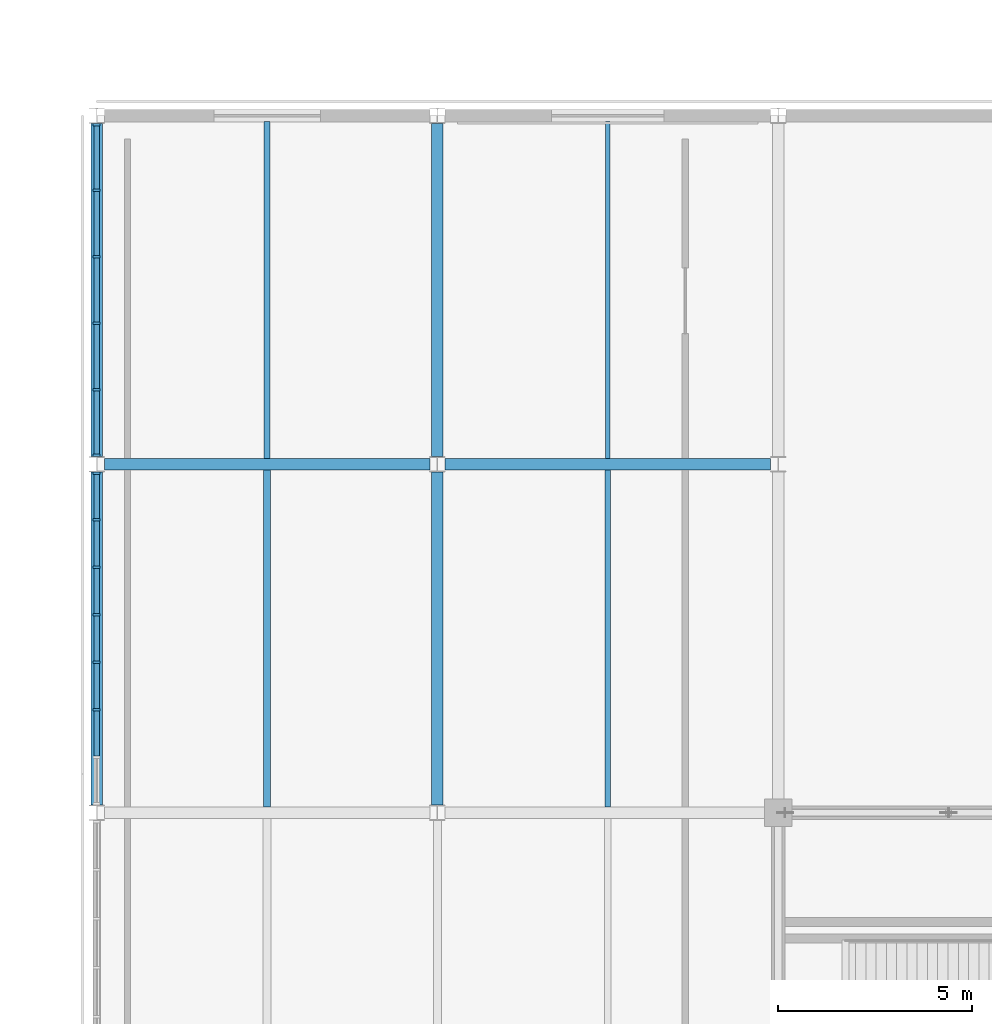
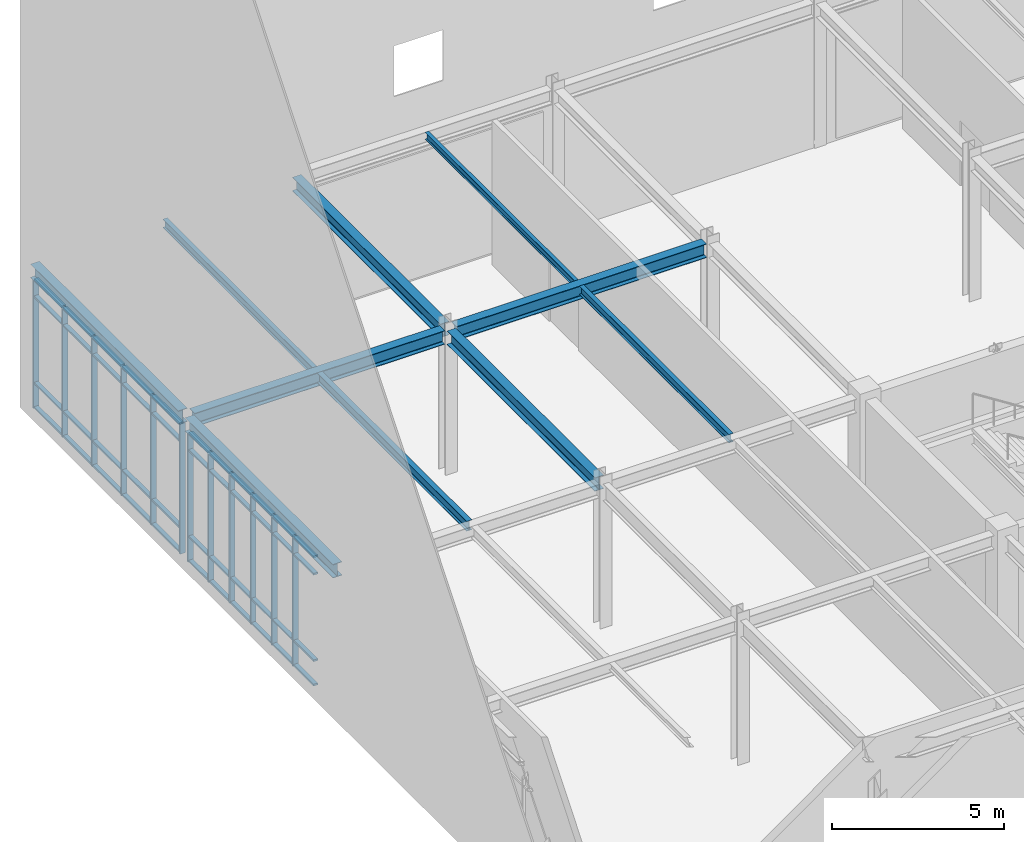
# One storey, part 44 of 119: 56 members, 10 beams, 2 elements without a shape of their own.
"""IFC4 building model written with IfcOpenShell, lengths in metres."""

from ifc_helpers import new_model, si_unit, direction, frame, origin, origin_2d, place, context, subcontext, project, spatial, rectangle, i_section, extrude, material, material_profile, profile_set, type_object, element, aggregate, save


model = new_model("IFC4")

# Units and contexts
model_context = context("Model", 3, precision=1e-05, world=origin(), true_north=direction((0.0, 1.0)))
body_context = subcontext(model_context, "Body", "Model", "MODEL_VIEW")
ifc_project = project(units=[si_unit("LENGTHUNIT", "METRE"), si_unit("AREAUNIT", "SQUARE_METRE"), si_unit("VOLUMEUNIT", "CUBIC_METRE"), si_unit("PLANEANGLEUNIT", "RADIAN"), si_unit("MASSUNIT", "GRAM", prefix="KILO")], contexts=[model_context])

# Site, building, storey
site_placement = place(None, origin())
site = spatial("IfcSite", under=ifc_project, at=site_placement, CompositionType="ELEMENT")
building_placement = place(site_placement, origin())
building = spatial("IfcBuilding", under=site, at=building_placement, Name="Zhaolan Boulevard Law Courts", CompositionType="ELEMENT")
storey_placement = place(building_placement, origin())
storey = spatial("IfcBuildingStorey", under=building, at=storey_placement, Name="L00", CompositionType="ELEMENT", Elevation=0.0)

# Curtain wall, members
ifc_material_1 = material(Name="Thermally broken aluminium and low-E glazing", Category="aluminium")
curtain_wall_type_1 = type_object("IfcCurtainWallType", Name="CURTAIN WALL M6", PredefinedType="USERDEFINED", material=ifc_material_1)
curtain_wall_1_placement = place(storey_placement, origin())
curtain_wall_1 = element("IfcCurtainWall", 1, at=curtain_wall_1_placement, inside=storey, type_object=curtain_wall_type_1, Name="Curtain Wall CW-L00-102", ObjectType="CURTAIN WALL", PredefinedType="USERDEFINED")
ifc_material_2 = material(Name="Fluorocarbon-coated aluminium 6063-T6", Category="aluminium")
ifc_material_profile_1 = material_profile(ifc_material_2, rectangle(XDim=0.179931640625, YDim=0.06494140625, at=origin_2d()), Name="AL65x180")
ifc_profile_set_1 = profile_set([ifc_material_profile_1], Name="Fluorocarbon-coated aluminium 6063-T6")
member_type_1 = type_object("IfcMemberType", Name="CWMULLION 65X180", PredefinedType="MULLION", material=ifc_profile_set_1)
member_1_placement = place(storey_placement, frame((0.0, 102.765380859375, 0.0), z_axis=(0.0, 0.0, 1.0), x_axis=(1.0, 0.0, 0.0)))
member_1 = element("IfcMember", 2, at=member_1_placement, type_object=member_type_1, Name="CW-L00-102 mullion 1", PredefinedType="MULLION", context=body_context, shape_type="SweptSolid", body=[
    extrude(rectangle(XDim=0.179931640625, YDim=0.06494140625, at=origin_2d()), origin(), (0.0, 0.0, 1.0), 4.62109375),
])
member_2_placement = place(storey_placement, frame((0.0, 101.570068359375, 0.0), z_axis=(0.0, 0.0, 1.0), x_axis=(1.0, 0.0, 0.0)))
member_2 = element("IfcMember", 3, at=member_2_placement, type_object=member_type_1, Name="CW-L00-102 mullion 2", PredefinedType="MULLION", context=body_context, shape_type="SweptSolid", body=[
    extrude(rectangle(XDim=0.179931640625, YDim=0.06494140625, at=origin_2d()), origin(), (0.0, 0.0, 1.0), 4.62109375),
])
member_3_placement = place(storey_placement, frame((0.0, 100.342041015625, 0.0), z_axis=(0.0, 0.0, 1.0), x_axis=(1.0, 0.0, 0.0)))
member_3 = element("IfcMember", 4, at=member_3_placement, type_object=member_type_1, Name="CW-L00-102 mullion 3", PredefinedType="MULLION", context=body_context, shape_type="SweptSolid", body=[
    extrude(rectangle(XDim=0.179931640625, YDim=0.06494140625, at=origin_2d()), origin(), (0.0, 0.0, 1.0), 4.62109375),
])
member_4_placement = place(storey_placement, frame((0.0, 99.114013671875, 0.0), z_axis=(0.0, 0.0, 1.0), x_axis=(1.0, 0.0, 0.0)))
member_4 = element("IfcMember", 5, at=member_4_placement, type_object=member_type_1, Name="CW-L00-102 mullion 4", PredefinedType="MULLION", context=body_context, shape_type="SweptSolid", body=[
    extrude(rectangle(XDim=0.179931640625, YDim=0.06494140625, at=origin_2d()), origin(), (0.0, 0.0, 1.0), 4.62109375),
])
member_5_placement = place(storey_placement, frame((0.0, 97.885986328125, 0.0), z_axis=(0.0, 0.0, 1.0), x_axis=(1.0, 0.0, 0.0)))
member_5 = element("IfcMember", 6, at=member_5_placement, type_object=member_type_1, Name="CW-L00-102 mullion 5", PredefinedType="MULLION", context=body_context, shape_type="SweptSolid", body=[
    extrude(rectangle(XDim=0.179931640625, YDim=0.06494140625, at=origin_2d()), origin(), (0.0, 0.0, 1.0), 4.62109375),
])
member_6_placement = place(storey_placement, frame((0.0, 96.657958984375, 0.0), z_axis=(0.0, 0.0, 1.0), x_axis=(1.0, 0.0, 0.0)))
member_6 = element("IfcMember", 7, at=member_6_placement, type_object=member_type_1, Name="CW-L00-102 mullion 6", PredefinedType="MULLION", context=body_context, shape_type="SweptSolid", body=[
    extrude(rectangle(XDim=0.179931640625, YDim=0.06494140625, at=origin_2d()), origin(), (0.0, 0.0, 1.0), 4.62109375),
])

ifc_material_3 = material(Name="Thermally broken aluminium and low-E glazing", Category="aluminium")
curtain_wall_type_2 = type_object("IfcCurtainWallType", Name="CURTAIN WALL M7", PredefinedType="USERDEFINED", material=ifc_material_3)
curtain_wall_2_placement = place(storey_placement, origin())
curtain_wall_2 = element("IfcCurtainWall", 8, at=curtain_wall_2_placement, inside=storey, type_object=curtain_wall_type_2, Name="Curtain Wall CW-L00-103", ObjectType="CURTAIN WALL", PredefinedType="USERDEFINED")
member_7_placement = place(storey_placement, frame((0.0, 111.765380859375, 0.0), z_axis=(0.0, 0.0, 1.0), x_axis=(1.0, 0.0, 0.0)))
member_7 = element("IfcMember", 9, at=member_7_placement, type_object=member_type_1, Name="CW-L00-103 mullion 1", PredefinedType="MULLION", context=body_context, shape_type="SweptSolid", body=[
    extrude(rectangle(XDim=0.179931640625, YDim=0.06494140625, at=origin_2d()), origin(), (0.0, 0.0, 1.0), 4.62109375),
])
member_8_placement = place(storey_placement, frame((0.0, 110.078857421875, 0.0), z_axis=(0.0, 0.0, 1.0), x_axis=(1.0, 0.0, 0.0)))
member_8 = element("IfcMember", 10, at=member_8_placement, type_object=member_type_1, Name="CW-L00-103 mullion 2", PredefinedType="MULLION", context=body_context, shape_type="SweptSolid", body=[
    extrude(rectangle(XDim=0.179931640625, YDim=0.06494140625, at=origin_2d()), origin(), (0.0, 0.0, 1.0), 4.62109375),
])
member_9_placement = place(storey_placement, frame((0.0, 108.359619140625, 0.0), z_axis=(0.0, 0.0, 1.0), x_axis=(1.0, 0.0, 0.0)))
member_9 = element("IfcMember", 11, at=member_9_placement, type_object=member_type_1, Name="CW-L00-103 mullion 3", PredefinedType="MULLION", context=body_context, shape_type="SweptSolid", body=[
    extrude(rectangle(XDim=0.179931640625, YDim=0.06494140625, at=origin_2d()), origin(), (0.0, 0.0, 1.0), 4.62109375),
])
member_10_placement = place(storey_placement, frame((0.0, 106.640380859375, 0.0), z_axis=(0.0, 0.0, 1.0), x_axis=(1.0, 0.0, 0.0)))
member_10 = element("IfcMember", 12, at=member_10_placement, type_object=member_type_1, Name="CW-L00-103 mullion 4", PredefinedType="MULLION", context=body_context, shape_type="SweptSolid", body=[
    extrude(rectangle(XDim=0.179931640625, YDim=0.06494140625, at=origin_2d()), origin(), (0.0, 0.0, 1.0), 4.62109375),
])
member_11_placement = place(storey_placement, frame((0.0, 104.921142578125, 0.0), z_axis=(0.0, 0.0, 1.0), x_axis=(1.0, 0.0, 0.0)))
member_11 = element("IfcMember", 13, at=member_11_placement, type_object=member_type_1, Name="CW-L00-103 mullion 5", PredefinedType="MULLION", context=body_context, shape_type="SweptSolid", body=[
    extrude(rectangle(XDim=0.179931640625, YDim=0.06494140625, at=origin_2d()), origin(), (0.0, 0.0, 1.0), 4.62109375),
])
member_12_placement = place(storey_placement, frame((0.0, 103.234619140625, 0.0), z_axis=(0.0, 0.0, 1.0), x_axis=(1.0, 0.0, 0.0)))
member_12 = element("IfcMember", 14, at=member_12_placement, type_object=member_type_1, Name="CW-L00-103 mullion 6", PredefinedType="MULLION", context=body_context, shape_type="SweptSolid", body=[
    extrude(rectangle(XDim=0.179931640625, YDim=0.06494140625, at=origin_2d()), origin(), (0.0, 0.0, 1.0), 4.62109375),
])

# Member
ifc_material_4 = material(Name="Fluorocarbon-coated aluminium 6063-T6", Category="aluminium")
ifc_material_profile_2 = material_profile(ifc_material_4, rectangle(XDim=0.139892578125, YDim=0.06494140625, at=origin_2d()), Name="AL65x140")
ifc_profile_set_2 = profile_set([ifc_material_profile_2], Name="Fluorocarbon-coated aluminium 6063-T6")
member_type_2 = type_object("IfcMemberType", Name="CWTRANSOM 65X140", PredefinedType="USERDEFINED", material=ifc_profile_set_2)
member_13_placement = place(storey_placement, frame((0.0, 102.73291015625, 0.032470703125), z_axis=(0.0, -1.0, 0.0), x_axis=(1.0, 0.0, 0.0)))
member_13 = element("IfcMember", 15, at=member_13_placement, type_object=member_type_2, Name="CW-L00-102 transom 1.1", ObjectType="TRANSOM", PredefinedType="USERDEFINED", context=body_context, shape_type="SweptSolid", body=[
    extrude(rectangle(XDim=0.139892578125, YDim=0.06494140625, at=origin_2d()), origin(), (0.0, 0.0, 1.0), 1.13037109375),
])

member_14_placement = place(storey_placement, frame((0.0, 102.73291015625, 0.89990234375), z_axis=(0.0, -1.0, 0.0), x_axis=(1.0, 0.0, 0.0)))
member_14 = element("IfcMember", 16, at=member_14_placement, type_object=member_type_2, Name="CW-L00-102 transom 1.2", ObjectType="TRANSOM", PredefinedType="USERDEFINED", context=body_context, shape_type="SweptSolid", body=[
    extrude(rectangle(XDim=0.139892578125, YDim=0.06494140625, at=origin_2d()), origin(), (0.0, 0.0, 1.0), 1.13037109375),
])

member_15_placement = place(storey_placement, frame((0.0, 102.73291015625, 3.970947265625), z_axis=(0.0, -1.0, 0.0), x_axis=(1.0, 0.0, 0.0)))
member_15 = element("IfcMember", 17, at=member_15_placement, type_object=member_type_2, Name="CW-L00-102 transom 1.3", ObjectType="TRANSOM", PredefinedType="USERDEFINED", context=body_context, shape_type="SweptSolid", body=[
    extrude(rectangle(XDim=0.139892578125, YDim=0.06494140625, at=origin_2d()), origin(), (0.0, 0.0, 1.0), 1.13037109375),
])

member_16_placement = place(storey_placement, frame((0.0, 102.73291015625, 4.58837890625), z_axis=(0.0, -1.0, 0.0), x_axis=(1.0, 0.0, 0.0)))
member_16 = element("IfcMember", 18, at=member_16_placement, type_object=member_type_2, Name="CW-L00-102 transom 1.4", ObjectType="TRANSOM", PredefinedType="USERDEFINED", context=body_context, shape_type="SweptSolid", body=[
    extrude(rectangle(XDim=0.139892578125, YDim=0.06494140625, at=origin_2d()), origin(), (0.0, 0.0, 1.0), 1.13037109375),
])

member_17_placement = place(storey_placement, frame((0.0, 101.53759765625, 0.032470703125), z_axis=(0.0, -1.0, 0.0), x_axis=(1.0, 0.0, 0.0)))
member_17 = element("IfcMember", 19, at=member_17_placement, type_object=member_type_2, Name="CW-L00-102 transom 2.1", ObjectType="TRANSOM", PredefinedType="USERDEFINED", context=body_context, shape_type="SweptSolid", body=[
    extrude(rectangle(XDim=0.139892578125, YDim=0.06494140625, at=origin_2d()), origin(), (0.0, 0.0, 1.0), 1.1630859375),
])

member_18_placement = place(storey_placement, frame((0.0, 101.53759765625, 0.89990234375), z_axis=(0.0, -1.0, 0.0), x_axis=(1.0, 0.0, 0.0)))
member_18 = element("IfcMember", 20, at=member_18_placement, type_object=member_type_2, Name="CW-L00-102 transom 2.2", ObjectType="TRANSOM", PredefinedType="USERDEFINED", context=body_context, shape_type="SweptSolid", body=[
    extrude(rectangle(XDim=0.139892578125, YDim=0.06494140625, at=origin_2d()), origin(), (0.0, 0.0, 1.0), 1.1630859375),
])

member_19_placement = place(storey_placement, frame((0.0, 101.53759765625, 3.970947265625), z_axis=(0.0, -1.0, 0.0), x_axis=(1.0, 0.0, 0.0)))
member_19 = element("IfcMember", 21, at=member_19_placement, type_object=member_type_2, Name="CW-L00-102 transom 2.3", ObjectType="TRANSOM", PredefinedType="USERDEFINED", context=body_context, shape_type="SweptSolid", body=[
    extrude(rectangle(XDim=0.139892578125, YDim=0.06494140625, at=origin_2d()), origin(), (0.0, 0.0, 1.0), 1.1630859375),
])

member_20_placement = place(storey_placement, frame((0.0, 101.53759765625, 4.58837890625), z_axis=(0.0, -1.0, 0.0), x_axis=(1.0, 0.0, 0.0)))
member_20 = element("IfcMember", 22, at=member_20_placement, type_object=member_type_2, Name="CW-L00-102 transom 2.4", ObjectType="TRANSOM", PredefinedType="USERDEFINED", context=body_context, shape_type="SweptSolid", body=[
    extrude(rectangle(XDim=0.139892578125, YDim=0.06494140625, at=origin_2d()), origin(), (0.0, 0.0, 1.0), 1.1630859375),
])

member_21_placement = place(storey_placement, frame((0.0, 100.3095703125, 0.032470703125), z_axis=(0.0, -1.0, 0.0), x_axis=(1.0, 0.0, 0.0)))
member_21 = element("IfcMember", 23, at=member_21_placement, type_object=member_type_2, Name="CW-L00-102 transom 3.1", ObjectType="TRANSOM", PredefinedType="USERDEFINED", context=body_context, shape_type="SweptSolid", body=[
    extrude(rectangle(XDim=0.139892578125, YDim=0.06494140625, at=origin_2d()), origin(), (0.0, 0.0, 1.0), 1.1630859375),
])

member_22_placement = place(storey_placement, frame((0.0, 100.3095703125, 0.89990234375), z_axis=(0.0, -1.0, 0.0), x_axis=(1.0, 0.0, 0.0)))
member_22 = element("IfcMember", 24, at=member_22_placement, type_object=member_type_2, Name="CW-L00-102 transom 3.2", ObjectType="TRANSOM", PredefinedType="USERDEFINED", context=body_context, shape_type="SweptSolid", body=[
    extrude(rectangle(XDim=0.139892578125, YDim=0.06494140625, at=origin_2d()), origin(), (0.0, 0.0, 1.0), 1.1630859375),
])

member_23_placement = place(storey_placement, frame((0.0, 100.3095703125, 3.970947265625), z_axis=(0.0, -1.0, 0.0), x_axis=(1.0, 0.0, 0.0)))
member_23 = element("IfcMember", 25, at=member_23_placement, type_object=member_type_2, Name="CW-L00-102 transom 3.3", ObjectType="TRANSOM", PredefinedType="USERDEFINED", context=body_context, shape_type="SweptSolid", body=[
    extrude(rectangle(XDim=0.139892578125, YDim=0.06494140625, at=origin_2d()), origin(), (0.0, 0.0, 1.0), 1.1630859375),
])

member_24_placement = place(storey_placement, frame((0.0, 100.3095703125, 4.58837890625), z_axis=(0.0, -1.0, 0.0), x_axis=(1.0, 0.0, 0.0)))
member_24 = element("IfcMember", 26, at=member_24_placement, type_object=member_type_2, Name="CW-L00-102 transom 3.4", ObjectType="TRANSOM", PredefinedType="USERDEFINED", context=body_context, shape_type="SweptSolid", body=[
    extrude(rectangle(XDim=0.139892578125, YDim=0.06494140625, at=origin_2d()), origin(), (0.0, 0.0, 1.0), 1.1630859375),
])

member_25_placement = place(storey_placement, frame((0.0, 99.08154296875, 0.032470703125), z_axis=(0.0, -1.0, 0.0), x_axis=(1.0, 0.0, 0.0)))
member_25 = element("IfcMember", 27, at=member_25_placement, type_object=member_type_2, Name="CW-L00-102 transom 4.1", ObjectType="TRANSOM", PredefinedType="USERDEFINED", context=body_context, shape_type="SweptSolid", body=[
    extrude(rectangle(XDim=0.139892578125, YDim=0.06494140625, at=origin_2d()), origin(), (0.0, 0.0, 1.0), 1.1630859375),
])

member_26_placement = place(storey_placement, frame((0.0, 99.08154296875, 0.89990234375), z_axis=(0.0, -1.0, 0.0), x_axis=(1.0, 0.0, 0.0)))
member_26 = element("IfcMember", 28, at=member_26_placement, type_object=member_type_2, Name="CW-L00-102 transom 4.2", ObjectType="TRANSOM", PredefinedType="USERDEFINED", context=body_context, shape_type="SweptSolid", body=[
    extrude(rectangle(XDim=0.139892578125, YDim=0.06494140625, at=origin_2d()), origin(), (0.0, 0.0, 1.0), 1.1630859375),
])

member_27_placement = place(storey_placement, frame((0.0, 99.08154296875, 3.970947265625), z_axis=(0.0, -1.0, 0.0), x_axis=(1.0, 0.0, 0.0)))
member_27 = element("IfcMember", 29, at=member_27_placement, type_object=member_type_2, Name="CW-L00-102 transom 4.3", ObjectType="TRANSOM", PredefinedType="USERDEFINED", context=body_context, shape_type="SweptSolid", body=[
    extrude(rectangle(XDim=0.139892578125, YDim=0.06494140625, at=origin_2d()), origin(), (0.0, 0.0, 1.0), 1.1630859375),
])

member_28_placement = place(storey_placement, frame((0.0, 99.08154296875, 4.58837890625), z_axis=(0.0, -1.0, 0.0), x_axis=(1.0, 0.0, 0.0)))
member_28 = element("IfcMember", 30, at=member_28_placement, type_object=member_type_2, Name="CW-L00-102 transom 4.4", ObjectType="TRANSOM", PredefinedType="USERDEFINED", context=body_context, shape_type="SweptSolid", body=[
    extrude(rectangle(XDim=0.139892578125, YDim=0.06494140625, at=origin_2d()), origin(), (0.0, 0.0, 1.0), 1.1630859375),
])

member_29_placement = place(storey_placement, frame((0.0, 97.853515625, 0.032470703125), z_axis=(0.0, -1.0, 0.0), x_axis=(1.0, 0.0, 0.0)))
member_29 = element("IfcMember", 31, at=member_29_placement, type_object=member_type_2, Name="CW-L00-102 transom 5.1", ObjectType="TRANSOM", PredefinedType="USERDEFINED", context=body_context, shape_type="SweptSolid", body=[
    extrude(rectangle(XDim=0.139892578125, YDim=0.06494140625, at=origin_2d()), origin(), (0.0, 0.0, 1.0), 1.1630859375),
])

member_30_placement = place(storey_placement, frame((0.0, 97.853515625, 0.89990234375), z_axis=(0.0, -1.0, 0.0), x_axis=(1.0, 0.0, 0.0)))
member_30 = element("IfcMember", 32, at=member_30_placement, type_object=member_type_2, Name="CW-L00-102 transom 5.2", ObjectType="TRANSOM", PredefinedType="USERDEFINED", context=body_context, shape_type="SweptSolid", body=[
    extrude(rectangle(XDim=0.139892578125, YDim=0.06494140625, at=origin_2d()), origin(), (0.0, 0.0, 1.0), 1.1630859375),
])

member_31_placement = place(storey_placement, frame((0.0, 97.853515625, 3.970947265625), z_axis=(0.0, -1.0, 0.0), x_axis=(1.0, 0.0, 0.0)))
member_31 = element("IfcMember", 33, at=member_31_placement, type_object=member_type_2, Name="CW-L00-102 transom 5.3", ObjectType="TRANSOM", PredefinedType="USERDEFINED", context=body_context, shape_type="SweptSolid", body=[
    extrude(rectangle(XDim=0.139892578125, YDim=0.06494140625, at=origin_2d()), origin(), (0.0, 0.0, 1.0), 1.1630859375),
])

member_32_placement = place(storey_placement, frame((0.0, 97.853515625, 4.58837890625), z_axis=(0.0, -1.0, 0.0), x_axis=(1.0, 0.0, 0.0)))
member_32 = element("IfcMember", 34, at=member_32_placement, type_object=member_type_2, Name="CW-L00-102 transom 5.4", ObjectType="TRANSOM", PredefinedType="USERDEFINED", context=body_context, shape_type="SweptSolid", body=[
    extrude(rectangle(XDim=0.139892578125, YDim=0.06494140625, at=origin_2d()), origin(), (0.0, 0.0, 1.0), 1.1630859375),
])

member_33_placement = place(storey_placement, frame((0.0, 96.62548828125, 0.032470703125), z_axis=(0.0, -1.0, 0.0), x_axis=(1.0, 0.0, 0.0)))
member_33 = element("IfcMember", 35, at=member_33_placement, type_object=member_type_2, Name="CW-L00-102 transom 6.1", ObjectType="TRANSOM", PredefinedType="USERDEFINED", context=body_context, shape_type="SweptSolid", body=[
    extrude(rectangle(XDim=0.139892578125, YDim=0.06494140625, at=origin_2d()), origin(), (0.0, 0.0, 1.0), 1.1630859375),
])

member_34_placement = place(storey_placement, frame((0.0, 96.62548828125, 0.89990234375), z_axis=(0.0, -1.0, 0.0), x_axis=(1.0, 0.0, 0.0)))
member_34 = element("IfcMember", 36, at=member_34_placement, type_object=member_type_2, Name="CW-L00-102 transom 6.2", ObjectType="TRANSOM", PredefinedType="USERDEFINED", context=body_context, shape_type="SweptSolid", body=[
    extrude(rectangle(XDim=0.139892578125, YDim=0.06494140625, at=origin_2d()), origin(), (0.0, 0.0, 1.0), 1.1630859375),
])

member_35_placement = place(storey_placement, frame((0.0, 96.62548828125, 3.970947265625), z_axis=(0.0, -1.0, 0.0), x_axis=(1.0, 0.0, 0.0)))
member_35 = element("IfcMember", 37, at=member_35_placement, type_object=member_type_2, Name="CW-L00-102 transom 6.3", ObjectType="TRANSOM", PredefinedType="USERDEFINED", context=body_context, shape_type="SweptSolid", body=[
    extrude(rectangle(XDim=0.139892578125, YDim=0.06494140625, at=origin_2d()), origin(), (0.0, 0.0, 1.0), 1.1630859375),
])

member_36_placement = place(storey_placement, frame((0.0, 96.62548828125, 4.58837890625), z_axis=(0.0, -1.0, 0.0), x_axis=(1.0, 0.0, 0.0)))
member_36 = element("IfcMember", 38, at=member_36_placement, type_object=member_type_2, Name="CW-L00-102 transom 6.4", ObjectType="TRANSOM", PredefinedType="USERDEFINED", context=body_context, shape_type="SweptSolid", body=[
    extrude(rectangle(XDim=0.139892578125, YDim=0.06494140625, at=origin_2d()), origin(), (0.0, 0.0, 1.0), 1.1630859375),
])

aggregate(curtain_wall_1, [member_1, member_2, member_3, member_4, member_5, member_6, member_13, member_14, member_15, member_16, member_17, member_18, member_19, member_20, member_21, member_22, member_23, member_24, member_25, member_26, member_27, member_28, member_29, member_30, member_31, member_32, member_33, member_34, member_35, member_36])

member_37_placement = place(storey_placement, frame((0.0, 111.73291015625, 0.032470703125), z_axis=(0.0, -1.0, 0.0), x_axis=(1.0, 0.0, 0.0)))
member_37 = element("IfcMember", 39, at=member_37_placement, type_object=member_type_2, Name="CW-L00-103 transom 1.1", ObjectType="TRANSOM", PredefinedType="USERDEFINED", context=body_context, shape_type="SweptSolid", body=[
    extrude(rectangle(XDim=0.139892578125, YDim=0.06494140625, at=origin_2d()), origin(), (0.0, 0.0, 1.0), 1.62158203125),
])

member_38_placement = place(storey_placement, frame((0.0, 111.73291015625, 0.89990234375), z_axis=(0.0, -1.0, 0.0), x_axis=(1.0, 0.0, 0.0)))
member_38 = element("IfcMember", 40, at=member_38_placement, type_object=member_type_2, Name="CW-L00-103 transom 1.2", ObjectType="TRANSOM", PredefinedType="USERDEFINED", context=body_context, shape_type="SweptSolid", body=[
    extrude(rectangle(XDim=0.139892578125, YDim=0.06494140625, at=origin_2d()), origin(), (0.0, 0.0, 1.0), 1.62158203125),
])

member_39_placement = place(storey_placement, frame((0.0, 111.73291015625, 3.970947265625), z_axis=(0.0, -1.0, 0.0), x_axis=(1.0, 0.0, 0.0)))
member_39 = element("IfcMember", 41, at=member_39_placement, type_object=member_type_2, Name="CW-L00-103 transom 1.3", ObjectType="TRANSOM", PredefinedType="USERDEFINED", context=body_context, shape_type="SweptSolid", body=[
    extrude(rectangle(XDim=0.139892578125, YDim=0.06494140625, at=origin_2d()), origin(), (0.0, 0.0, 1.0), 1.62158203125),
])

member_40_placement = place(storey_placement, frame((0.0, 111.73291015625, 4.58837890625), z_axis=(0.0, -1.0, 0.0), x_axis=(1.0, 0.0, 0.0)))
member_40 = element("IfcMember", 42, at=member_40_placement, type_object=member_type_2, Name="CW-L00-103 transom 1.4", ObjectType="TRANSOM", PredefinedType="USERDEFINED", context=body_context, shape_type="SweptSolid", body=[
    extrude(rectangle(XDim=0.139892578125, YDim=0.06494140625, at=origin_2d()), origin(), (0.0, 0.0, 1.0), 1.62158203125),
])

member_41_placement = place(storey_placement, frame((0.0, 110.04638671875, 0.032470703125), z_axis=(0.0, -1.0, 0.0), x_axis=(1.0, 0.0, 0.0)))
member_41 = element("IfcMember", 43, at=member_41_placement, type_object=member_type_2, Name="CW-L00-103 transom 2.1", ObjectType="TRANSOM", PredefinedType="USERDEFINED", context=body_context, shape_type="SweptSolid", body=[
    extrude(rectangle(XDim=0.139892578125, YDim=0.06494140625, at=origin_2d()), origin(), (0.0, 0.0, 1.0), 1.654296875),
])

member_42_placement = place(storey_placement, frame((0.0, 110.04638671875, 0.89990234375), z_axis=(0.0, -1.0, 0.0), x_axis=(1.0, 0.0, 0.0)))
member_42 = element("IfcMember", 44, at=member_42_placement, type_object=member_type_2, Name="CW-L00-103 transom 2.2", ObjectType="TRANSOM", PredefinedType="USERDEFINED", context=body_context, shape_type="SweptSolid", body=[
    extrude(rectangle(XDim=0.139892578125, YDim=0.06494140625, at=origin_2d()), origin(), (0.0, 0.0, 1.0), 1.654296875),
])

member_43_placement = place(storey_placement, frame((0.0, 110.04638671875, 3.970947265625), z_axis=(0.0, -1.0, 0.0), x_axis=(1.0, 0.0, 0.0)))
member_43 = element("IfcMember", 45, at=member_43_placement, type_object=member_type_2, Name="CW-L00-103 transom 2.3", ObjectType="TRANSOM", PredefinedType="USERDEFINED", context=body_context, shape_type="SweptSolid", body=[
    extrude(rectangle(XDim=0.139892578125, YDim=0.06494140625, at=origin_2d()), origin(), (0.0, 0.0, 1.0), 1.654296875),
])

member_44_placement = place(storey_placement, frame((0.0, 110.04638671875, 4.58837890625), z_axis=(0.0, -1.0, 0.0), x_axis=(1.0, 0.0, 0.0)))
member_44 = element("IfcMember", 46, at=member_44_placement, type_object=member_type_2, Name="CW-L00-103 transom 2.4", ObjectType="TRANSOM", PredefinedType="USERDEFINED", context=body_context, shape_type="SweptSolid", body=[
    extrude(rectangle(XDim=0.139892578125, YDim=0.06494140625, at=origin_2d()), origin(), (0.0, 0.0, 1.0), 1.654296875),
])

member_45_placement = place(storey_placement, frame((0.0, 108.3271484375, 0.032470703125), z_axis=(0.0, -1.0, 0.0), x_axis=(1.0, 0.0, 0.0)))
member_45 = element("IfcMember", 47, at=member_45_placement, type_object=member_type_2, Name="CW-L00-103 transom 3.1", ObjectType="TRANSOM", PredefinedType="USERDEFINED", context=body_context, shape_type="SweptSolid", body=[
    extrude(rectangle(XDim=0.139892578125, YDim=0.06494140625, at=origin_2d()), origin(), (0.0, 0.0, 1.0), 1.654296875),
])

member_46_placement = place(storey_placement, frame((0.0, 108.3271484375, 0.89990234375), z_axis=(0.0, -1.0, 0.0), x_axis=(1.0, 0.0, 0.0)))
member_46 = element("IfcMember", 48, at=member_46_placement, type_object=member_type_2, Name="CW-L00-103 transom 3.2", ObjectType="TRANSOM", PredefinedType="USERDEFINED", context=body_context, shape_type="SweptSolid", body=[
    extrude(rectangle(XDim=0.139892578125, YDim=0.06494140625, at=origin_2d()), origin(), (0.0, 0.0, 1.0), 1.654296875),
])

member_47_placement = place(storey_placement, frame((0.0, 108.3271484375, 3.970947265625), z_axis=(0.0, -1.0, 0.0), x_axis=(1.0, 0.0, 0.0)))
member_47 = element("IfcMember", 49, at=member_47_placement, type_object=member_type_2, Name="CW-L00-103 transom 3.3", ObjectType="TRANSOM", PredefinedType="USERDEFINED", context=body_context, shape_type="SweptSolid", body=[
    extrude(rectangle(XDim=0.139892578125, YDim=0.06494140625, at=origin_2d()), origin(), (0.0, 0.0, 1.0), 1.654296875),
])

member_48_placement = place(storey_placement, frame((0.0, 108.3271484375, 4.58837890625), z_axis=(0.0, -1.0, 0.0), x_axis=(1.0, 0.0, 0.0)))
member_48 = element("IfcMember", 50, at=member_48_placement, type_object=member_type_2, Name="CW-L00-103 transom 3.4", ObjectType="TRANSOM", PredefinedType="USERDEFINED", context=body_context, shape_type="SweptSolid", body=[
    extrude(rectangle(XDim=0.139892578125, YDim=0.06494140625, at=origin_2d()), origin(), (0.0, 0.0, 1.0), 1.654296875),
])

member_49_placement = place(storey_placement, frame((0.0, 106.60791015625, 0.032470703125), z_axis=(0.0, -1.0, 0.0), x_axis=(1.0, 0.0, 0.0)))
member_49 = element("IfcMember", 51, at=member_49_placement, type_object=member_type_2, Name="CW-L00-103 transom 4.1", ObjectType="TRANSOM", PredefinedType="USERDEFINED", context=body_context, shape_type="SweptSolid", body=[
    extrude(rectangle(XDim=0.139892578125, YDim=0.06494140625, at=origin_2d()), origin(), (0.0, 0.0, 1.0), 1.654296875),
])

member_50_placement = place(storey_placement, frame((0.0, 106.60791015625, 0.89990234375), z_axis=(0.0, -1.0, 0.0), x_axis=(1.0, 0.0, 0.0)))
member_50 = element("IfcMember", 52, at=member_50_placement, type_object=member_type_2, Name="CW-L00-103 transom 4.2", ObjectType="TRANSOM", PredefinedType="USERDEFINED", context=body_context, shape_type="SweptSolid", body=[
    extrude(rectangle(XDim=0.139892578125, YDim=0.06494140625, at=origin_2d()), origin(), (0.0, 0.0, 1.0), 1.654296875),
])

member_51_placement = place(storey_placement, frame((0.0, 106.60791015625, 3.970947265625), z_axis=(0.0, -1.0, 0.0), x_axis=(1.0, 0.0, 0.0)))
member_51 = element("IfcMember", 53, at=member_51_placement, type_object=member_type_2, Name="CW-L00-103 transom 4.3", ObjectType="TRANSOM", PredefinedType="USERDEFINED", context=body_context, shape_type="SweptSolid", body=[
    extrude(rectangle(XDim=0.139892578125, YDim=0.06494140625, at=origin_2d()), origin(), (0.0, 0.0, 1.0), 1.654296875),
])

member_52_placement = place(storey_placement, frame((0.0, 106.60791015625, 4.58837890625), z_axis=(0.0, -1.0, 0.0), x_axis=(1.0, 0.0, 0.0)))
member_52 = element("IfcMember", 54, at=member_52_placement, type_object=member_type_2, Name="CW-L00-103 transom 4.4", ObjectType="TRANSOM", PredefinedType="USERDEFINED", context=body_context, shape_type="SweptSolid", body=[
    extrude(rectangle(XDim=0.139892578125, YDim=0.06494140625, at=origin_2d()), origin(), (0.0, 0.0, 1.0), 1.654296875),
])

member_53_placement = place(storey_placement, frame((0.0, 104.888671875, 0.032470703125), z_axis=(0.0, -1.0, 0.0), x_axis=(1.0, 0.0, 0.0)))
member_53 = element("IfcMember", 55, at=member_53_placement, type_object=member_type_2, Name="CW-L00-103 transom 5.1", ObjectType="TRANSOM", PredefinedType="USERDEFINED", context=body_context, shape_type="SweptSolid", body=[
    extrude(rectangle(XDim=0.139892578125, YDim=0.06494140625, at=origin_2d()), origin(), (0.0, 0.0, 1.0), 1.62158203125),
])

member_54_placement = place(storey_placement, frame((0.0, 104.888671875, 0.89990234375), z_axis=(0.0, -1.0, 0.0), x_axis=(1.0, 0.0, 0.0)))
member_54 = element("IfcMember", 56, at=member_54_placement, type_object=member_type_2, Name="CW-L00-103 transom 5.2", ObjectType="TRANSOM", PredefinedType="USERDEFINED", context=body_context, shape_type="SweptSolid", body=[
    extrude(rectangle(XDim=0.139892578125, YDim=0.06494140625, at=origin_2d()), origin(), (0.0, 0.0, 1.0), 1.62158203125),
])

member_55_placement = place(storey_placement, frame((0.0, 104.888671875, 3.970947265625), z_axis=(0.0, -1.0, 0.0), x_axis=(1.0, 0.0, 0.0)))
member_55 = element("IfcMember", 57, at=member_55_placement, type_object=member_type_2, Name="CW-L00-103 transom 5.3", ObjectType="TRANSOM", PredefinedType="USERDEFINED", context=body_context, shape_type="SweptSolid", body=[
    extrude(rectangle(XDim=0.139892578125, YDim=0.06494140625, at=origin_2d()), origin(), (0.0, 0.0, 1.0), 1.62158203125),
])

member_56_placement = place(storey_placement, frame((0.0, 104.888671875, 4.58837890625), z_axis=(0.0, -1.0, 0.0), x_axis=(1.0, 0.0, 0.0)))
member_56 = element("IfcMember", 58, at=member_56_placement, type_object=member_type_2, Name="CW-L00-103 transom 5.4", ObjectType="TRANSOM", PredefinedType="USERDEFINED", context=body_context, shape_type="SweptSolid", body=[
    extrude(rectangle(XDim=0.139892578125, YDim=0.06494140625, at=origin_2d()), origin(), (0.0, 0.0, 1.0), 1.62158203125),
])

aggregate(curtain_wall_2, [member_7, member_8, member_9, member_10, member_11, member_12, member_37, member_38, member_39, member_40, member_41, member_42, member_43, member_44, member_45, member_46, member_47, member_48, member_49, member_50, member_51, member_52, member_53, member_54, member_55, member_56])

# Beams
ifc_material_5 = material(Name="Structural steel Q355B", Category="steel")
ifc_material_profile_3 = material_profile(ifc_material_5, i_section(OverallWidth=0.300048828125, OverallDepth=0.48193359375, WebThickness=0.010986328125, FlangeThickness=0.014892578125, FilletRadius=0.02197265625, at=origin_2d()), Name="HM482x300")
ifc_profile_set_3 = profile_set([ifc_material_profile_3], Name="Structural steel Q355B")
beam_type_1 = type_object("IfcBeamType", Name="GIRDER HM488", PredefinedType="BEAM", material=ifc_profile_set_3)
for number, where, z_axis, x_axis, name in (
    (59, (0.0, 94.196044921875, 4.876953125), (0.0, 1.0, 0.0), (-1.0, 0.0, 0.0), "Beam BY-L01-1-N-P"),
    (60, (0.0, 103.196044921875, 4.876953125), (0.0, 1.0, 0.0), (-1.0, 0.0, 0.0), "Beam BY-L01-1-P-Q"),
    (61, (8.800048828125, 94.196044921875, 4.876953125), (0.0, 1.0, 0.0), (-1.0, 0.0, 0.0), "Beam BY-L01-2-N-P"),
    (62, (8.800048828125, 103.196044921875, 4.876953125), (0.0, 1.0, 0.0), (-1.0, 0.0, 0.0), "Beam BY-L01-2-P-Q"),
):
    element("IfcBeam", number, at=place(storey_placement, frame(where, z_axis=z_axis, x_axis=x_axis)), inside=storey, type_object=beam_type_1, Name=name, PredefinedType="BEAM", context=body_context, shape_type="SweptSolid", body=[
        extrude(i_section(OverallWidth=0.300048828125, OverallDepth=0.48193359375, WebThickness=0.010986328125, FlangeThickness=0.014892578125, FilletRadius=0.02197265625, at=origin_2d()), origin(), (0.0, 0.0, 1.0), 8.60791015625),
    ])
ifc_material_6 = material(Name="Structural steel Q355B", Category="steel")
ifc_material_profile_4 = material_profile(ifc_material_6, i_section(OverallWidth=0.300048828125, OverallDepth=0.488037109375, WebThickness=0.010986328125, FlangeThickness=0.01806640625, FilletRadius=0.02197265625, at=origin_2d()), Name="HM488x300")
ifc_profile_set_4 = profile_set([ifc_material_profile_4], Name="Structural steel Q355B")
beam_type_2 = type_object("IfcBeamType", Name="GIRDER HM500", PredefinedType="BEAM", material=ifc_profile_set_4)
for number, where, z_axis, x_axis, name in (
    (63, (0.196044921875, 103.0, 4.8740234375), (1.0, 0.0, 0.0), (0.0, 1.0, 0.0), "Beam BX-L01-1-2-P"),
    (64, (8.99609375, 103.0, 4.8740234375), (1.0, 0.0, 0.0), (0.0, 1.0, 0.0), "Beam BX-L01-2-3-P"),
):
    element("IfcBeam", number, at=place(storey_placement, frame(where, z_axis=z_axis, x_axis=x_axis)), inside=storey, type_object=beam_type_2, Name=name, PredefinedType="BEAM", context=body_context, shape_type="SweptSolid", body=[
        extrude(i_section(OverallWidth=0.300048828125, OverallDepth=0.488037109375, WebThickness=0.010986328125, FlangeThickness=0.01806640625, FilletRadius=0.02197265625, at=origin_2d()), origin(), (0.0, 0.0, 1.0), 8.407958984375),
    ])
ifc_material_7 = material(Name="Structural steel Q355B", Category="steel")
ifc_material_profile_5 = material_profile(ifc_material_7, i_section(OverallWidth=0.125, OverallDepth=0.25, WebThickness=0.006103515625, FlangeThickness=0.009033203125, FilletRadius=0.010009765625, at=origin_2d()), Name="HN250x125")
ifc_profile_set_5 = profile_set([ifc_material_profile_5], Name="Structural steel Q355B")
beam_type_3 = type_object("IfcBeamType", Name="JOIST HN250", PredefinedType="JOIST", material=ifc_profile_set_5)
beam_1_placement = place(storey_placement, frame((13.199951171875, 103.14599609375, 4.992919921875), z_axis=(0.0, 1.0, 0.0), x_axis=(-1.0, 0.0, 0.0)))
element("IfcBeam", 65, at=beam_1_placement, inside=storey, type_object=beam_type_3, Name="Composite Joist J-L01-2P", PredefinedType="JOIST", context=body_context, shape_type="SweptSolid", body=[
    extrude(i_section(OverallWidth=0.125, OverallDepth=0.25, WebThickness=0.006103515625, FlangeThickness=0.009033203125, FilletRadius=0.010009765625, at=origin_2d()), origin(), (0.0, 0.0, 1.0), 8.7080078125),
])
ifc_material_8 = material(Name="Structural steel Q355B", Category="steel")
ifc_material_profile_6 = material_profile(ifc_material_8, i_section(OverallWidth=0.14990234375, OverallDepth=0.300048828125, WebThickness=0.006591796875, FlangeThickness=0.009033203125, FilletRadius=0.010986328125, at=origin_2d()), Name="HN300x150")
ifc_profile_set_6 = profile_set([ifc_material_profile_6], Name="Structural steel Q355B")
beam_type_4 = type_object("IfcBeamType", Name="JOIST HN300", PredefinedType="JOIST", material=ifc_profile_set_6)
for number, where, z_axis, x_axis, name in (
    (66, (4.39990234375, 103.14599609375, 4.968017578125), (0.0, 1.0, 0.0), (-1.0, 0.0, 0.0), "Composite Joist J-L01-1P"),
    (67, (13.199951171875, 94.14599609375, 4.968017578125), (0.0, 1.0, 0.0), (-1.0, 0.0, 0.0), "Composite Joist J-L01-2N"),
):
    element("IfcBeam", number, at=place(storey_placement, frame(where, z_axis=z_axis, x_axis=x_axis)), inside=storey, type_object=beam_type_4, Name=name, PredefinedType="JOIST", context=body_context, shape_type="SweptSolid", body=[
        extrude(i_section(OverallWidth=0.14990234375, OverallDepth=0.300048828125, WebThickness=0.006591796875, FlangeThickness=0.009033203125, FilletRadius=0.010986328125, at=origin_2d()), origin(), (0.0, 0.0, 1.0), 8.7080078125),
    ])
ifc_material_9 = material(Name="Structural steel Q355B", Category="steel")
ifc_material_profile_7 = material_profile(ifc_material_9, i_section(OverallWidth=0.175048828125, OverallDepth=0.35009765625, WebThickness=0.007080078125, FlangeThickness=0.010986328125, FilletRadius=0.012939453125, at=origin_2d()), Name="HN350x175")
ifc_profile_set_7 = profile_set([ifc_material_profile_7], Name="Structural steel Q355B")
beam_type_5 = type_object("IfcBeamType", Name="JOIST HN350", PredefinedType="JOIST", material=ifc_profile_set_7)
beam_2_placement = place(storey_placement, frame((4.39990234375, 94.14599609375, 4.943115234375), z_axis=(0.0, 1.0, 0.0), x_axis=(-1.0, 0.0, 0.0)))
element("IfcBeam", 68, at=beam_2_placement, inside=storey, type_object=beam_type_5, Name="Composite Joist J-L01-1N", PredefinedType="JOIST", context=body_context, shape_type="SweptSolid", body=[
    extrude(i_section(OverallWidth=0.175048828125, OverallDepth=0.35009765625, WebThickness=0.007080078125, FlangeThickness=0.010986328125, FilletRadius=0.012939453125, at=origin_2d()), origin(), (0.0, 0.0, 1.0), 8.7080078125),
])

save(model, "model.ifc")
